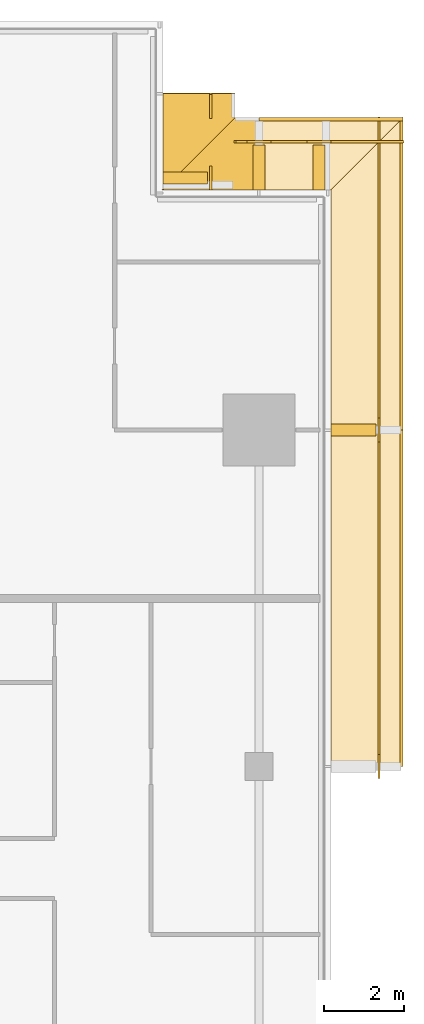
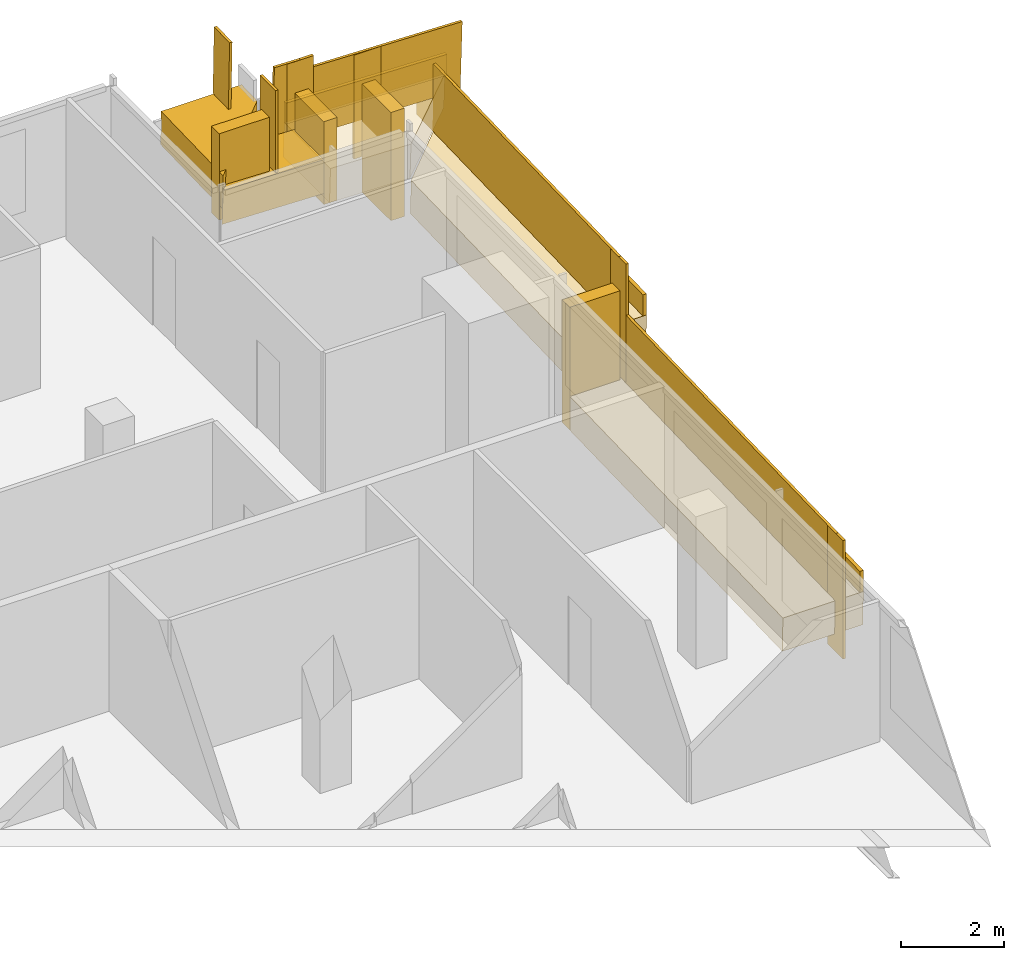
# One storey, part 27 of 29: 12 coverings, 10 railings.
"""IFC4 building model written with IfcOpenShell, lengths in metres."""

from ifc_helpers import new_model, si_unit, direction, frame, origin, origin_2d, place, context, subcontext, project, spatial, polyline, rectangle, outline, extrude, material, layer, layer_set, type_object, element, save


model = new_model("IFC4")

# Units and contexts
model_context = context("Model", 3, precision=1e-05, world=origin(), true_north=direction((0.0, 1.0)))
body_context = subcontext(model_context, "Body", "Model", "MODEL_VIEW")
ifc_project = project(units=[si_unit("LENGTHUNIT", "METRE"), si_unit("AREAUNIT", "SQUARE_METRE"), si_unit("VOLUMEUNIT", "CUBIC_METRE"), si_unit("PLANEANGLEUNIT", "RADIAN"), si_unit("MASSUNIT", "GRAM", prefix="KILO")], contexts=[model_context])

# Site, building, storey
site_placement = place(None, origin())
site = spatial("IfcSite", under=ifc_project, at=site_placement, CompositionType="ELEMENT")
building_placement = place(site_placement, origin())
building = spatial("IfcBuilding", under=site, at=building_placement, Name="Saffron Gate Tower", CompositionType="ELEMENT")
storey_placement = place(building_placement, frame((0.0, 0.0, 187.050048828125)))
storey = spatial("IfcBuildingStorey", under=building, at=storey_placement, Name="L46", CompositionType="ELEMENT", Elevation=187.050048828125)

# Coverings
ifc_material = material(Name="Timber, thermally modified ash", Category="wood")
ifc_layer_1 = layer(ifc_material, 0.800048828125)
ifc_layer_set_1 = layer_set([ifc_layer_1], Name="LD1 ledge timber")
covering_type_1 = type_object("IfcCoveringType", Name="LD1 ledge timber", PredefinedType="CLADDING", material=ifc_layer_set_1)
covering_1_placement = place(storey_placement, frame((127.199951171875, 57.0, 0.2431640625), z_axis=(0.0, -0.028791175352, 0.999585448184), x_axis=(0.0, 0.999585448184, 0.028791175352)))
element("IfcCovering", 1, at=covering_1_placement, inside=storey, type_object=covering_type_1, Name="LEDGE", PredefinedType="CLADDING", context=body_context, shape_type="SweptSolid", body=[
    extrude(outline(polyline([(0.0, 0.0), (8.403385982666892, 0.0), (8.403385982666892, -1.800048828125), (0.0, -1.800048828125), (0.0, 0.0)])), origin(), (0.0, 0.0, -1.0), 0.800048828125),
])
covering_2_placement = place(storey_placement, frame((127.199951171875, 65.39990234375, 1.685302734375), z_axis=(-3.5027307e-05, -0.028807146299, 0.99958498743), x_axis=(-3.68e-10, 0.999584988043, 0.028807146316)))
element("IfcCovering", 2, at=covering_2_placement, inside=storey, type_object=covering_type_1, Name="LEDGE", PredefinedType="CLADDING", context=body_context, shape_type="SweptSolid", body=[
    extrude(outline(polyline([(0.0, 0.0), (6.0024892885105, -2.541098841762901e-21), (7.8032891020589235, -1.8000488321003227), (-6.622937652878055e-10, -1.8000488270207489), (0.0, 0.0)])), origin(), (0.0, 0.0, -1.0), 0.800048828125),
])
covering_3_placement = place(storey_placement, frame((127.199951171875, 71.39990234375, 2.715576171875), z_axis=(0.028831989003, -4.5191205e-05, 0.999584270769), x_axis=(-0.999584271789, 2.041e-09, 0.028831989032)))
element("IfcCovering", 3, at=covering_3_placement, inside=storey, type_object=covering_type_1, Name="LEDGE", PredefinedType="CLADDING", context=body_context, shape_type="SweptSolid", body=[
    extrude(outline(polyline([(0.0, 0.0), (1.8007998167885757, 0.0), (1.8007998204631834, -1.80004882628693), (-1.8007927740541456, -1.800048837315338), (0.0, 0.0)])), origin(), (0.0, 0.0, -1.0), 0.800048828125),
])
covering_4_placement = place(storey_placement, frame((125.39990234375, 71.39990234375, 3.024658203125), z_axis=(0.028798988267, -2.8677152e-05, 0.999585222706), x_axis=(-0.999585223117, -6.17e-10, 0.028798988279)))
element("IfcCovering", 4, at=covering_4_placement, inside=storey, type_object=covering_type_1, Name="LEDGE", PredefinedType="CLADDING", context=body_context, shape_type="SweptSolid", body=[
    extrude(outline(polyline([(0.0, 0.0), (2.400896693585025, 4.235164736271502e-22), (0.6001039103565923, -1.8000488292351675), (-1.1098572600196767e-09, -1.8000488273848385), (0.0, 0.0)])), origin(), (0.0, 0.0, -1.0), 0.800048828125),
])
covering_5_placement = place(storey_placement, frame((123.0, 71.39990234375, 3.436767578125), z_axis=(-8.2123318e-05, -0.028713032424, 0.999587692514), x_axis=(5.056e-09, 0.999587695884, 0.028713032521)))
element("IfcCovering", 5, at=covering_5_placement, inside=storey, type_object=covering_type_1, Name="LEDGE", PredefinedType="CLADDING", context=body_context, shape_type="SweptSolid", body=[
    extrude(outline(polyline([(0.0, 0.0), (2.401140729112013, 0.0), (2.401140738212904, -1.8000488220550201), (1.800799803456976, -1.8000488372302523), (0.0, 0.0)])), origin(), (0.0, 0.0, -1.0), 0.800048828125),
])
ifc_layer_2 = layer(ifc_material, 0.080078125)
ifc_layer_set_2 = layer_set([ifc_layer_2], Name="LD2 ledge planter trough")
covering_type_2 = type_object("IfcCoveringType", Name="LD2 ledge planter trough", PredefinedType="CLADDING", material=ifc_layer_set_2)
covering_6_placement = place(storey_placement, frame((129.0, 57.0, 0.2431640625), z_axis=(1.0, 0.0, 0.0), x_axis=(0.0, 0.999585448184, 0.028791175352)))
element("IfcCovering", 6, at=covering_6_placement, inside=storey, type_object=covering_type_2, Name="LEDGE planter trough", PredefinedType="CLADDING", context=body_context, shape_type="SweptSolid", body=[
    extrude(outline(polyline([(0.0, 0.0), (8.403385982666892, 0.0), (8.417781570342743, 0.49979272409216496), (0.014395587675851172, 0.4997927240921649), (0.0, 0.0)])), origin(), (0.0, 0.0, -1.0), 0.080078125),
])
covering_7_placement = place(storey_placement, frame((129.0, 65.39990234375, 1.685302734375), z_axis=(1.0, 0.0, 0.0), x_axis=(0.0, 0.999584755248, 0.028815222999)))
element("IfcCovering", 7, at=covering_7_placement, inside=storey, type_object=covering_type_2, Name="LEDGE planter trough", PredefinedType="CLADDING", context=body_context, shape_type="SweptSolid", body=[
    extrude(outline(polyline([(0.0, 0.0), (7.803289102975944, 0.0), (7.8176967144752565, 0.4997923776238338), (0.014407611499312996, 0.4997923776238338), (0.0, 0.0)])), origin(), (0.0, 0.0, -1.0), 0.080078125),
])
covering_8_placement = place(storey_placement, frame((129.0, 73.199951171875, 2.663818359375), z_axis=(0.0, 1.0, 0.0), x_axis=(-0.99958492274, 0.0, 0.028809412191)))
element("IfcCovering", 8, at=covering_8_placement, inside=storey, type_object=covering_type_2, Name="LEDGE planter trough", PredefinedType="CLADDING", context=body_context, shape_type="SweptSolid", body=[
    extrude(outline(polyline([(0.0, 0.0), (3.601592595435983, 0.0), (3.6159973015313485, 0.4997924613700232), (0.014404706095365512, 0.4997924613700232), (0.0, 0.0)])), origin(), (0.0, 0.0, -1.0), 0.080078125),
])
ifc_layer_3 = layer(ifc_material, 0.300048828125)
ifc_layer_set_3 = layer_set([ifc_layer_3], Name="LD3 ledge riser fin")
covering_type_3 = type_object("IfcCoveringType", Name="LD3 ledge riser fin", PredefinedType="CLADDING", material=ifc_layer_set_3)
covering_9_placement = place(storey_placement, frame((127.760009765625, 65.39990234375, -0.31494140625), z_axis=(0.0, 0.0, 1.0), x_axis=(0.0, 1.0, 0.0)))
element("IfcCovering", 9, at=covering_9_placement, inside=storey, type_object=covering_type_3, Name="LEDGE riser fin", PredefinedType="CLADDING", context=body_context, shape_type="SweptSolid", body=[
    extrude(rectangle(XDim=0.300048828125, YDim=1.1201171875, at=origin_2d()), origin(), (0.0, 0.0, 1.0), 2.900390625),
])
covering_10_placement = place(storey_placement, frame((126.89990234375, 71.9599609375, 1.05810546875), z_axis=(0.0, 0.0, 1.0), x_axis=(-1.0, 0.0, 0.0)))
element("IfcCovering", 10, at=covering_10_placement, inside=storey, type_object=covering_type_3, Name="LEDGE riser fin", PredefinedType="CLADDING", context=body_context, shape_type="SweptSolid", body=[
    extrude(rectangle(XDim=0.300048828125, YDim=1.1201171875, at=origin_2d()), origin(), (0.0, 0.0, 1.0), 2.557373046875),
])
covering_11_placement = place(storey_placement, frame((125.39990234375, 71.9599609375, 1.96728515625), z_axis=(0.0, 0.0, 1.0), x_axis=(-1.0, 0.0, 0.0)))
element("IfcCovering", 11, at=covering_11_placement, inside=storey, type_object=covering_type_3, Name="LEDGE riser fin", PredefinedType="CLADDING", context=body_context, shape_type="SweptSolid", body=[
    extrude(rectangle(XDim=0.300048828125, YDim=1.1201171875, at=origin_2d()), origin(), (0.0, 0.0, 1.0), 1.957275390625),
])
covering_12_placement = place(storey_placement, frame((123.56005859375, 71.699951171875, 2.2939453125), z_axis=(0.0, 0.0, 1.0), x_axis=(0.0, 1.0, 0.0)))
element("IfcCovering", 12, at=covering_12_placement, inside=storey, type_object=covering_type_3, Name="LEDGE riser fin", PredefinedType="CLADDING", context=body_context, shape_type="SweptSolid", body=[
    extrude(rectangle(XDim=0.300048828125, YDim=1.1201171875, at=origin_2d()), origin(), (0.0, 0.0, 1.0), 2.04296875),
])

# Railings
railing_type = type_object("IfcRailingType", Name="LG1 ledge balustrade", PredefinedType="BALUSTRADE", material=ifc_material)
railing_1_placement = place(storey_placement, frame((128.39990234375, 57.0, 0.2431640625)))
element("IfcRailing", 13, at=railing_1_placement, inside=storey, type_object=railing_type, Name="LEDGE BALUSTRADE", PredefinedType="BALUSTRADE", context=body_context, shape_type="SweptSolid", body=[
    extrude(rectangle(XDim=0.06005859375, YDim=1.60009765625, at=origin_2d()), frame((0.0, 0.0, 0.800048828125), z_axis=(0.0, 0.999585448184, 0.028791175352), x_axis=(-1.0, 0.0, 0.0)), (0.0, 0.0, 1.0), 8.4033203125),
])
railing_2_placement = place(storey_placement, frame((128.39990234375, 56.699951171875, -0.957275390625)))
element("IfcRailing", 14, at=railing_2_placement, inside=storey, type_object=railing_type, Name="LEDGE BALUSTRADE", PredefinedType="BALUSTRADE", context=body_context, shape_type="SweptSolid", body=[
    extrude(rectangle(XDim=0.06005859375, YDim=2.80029296875, at=origin_2d()), frame((0.0, 0.0, 1.400146484375), z_axis=(0.0, 1.0, 0.0), x_axis=(-1.0, 0.0, 0.0)), (0.0, 0.0, 1.0), 0.60009765625),
])
railing_3_placement = place(storey_placement, frame((128.39990234375, 65.39990234375, 1.685302734375)))
element("IfcRailing", 15, at=railing_3_placement, inside=storey, type_object=railing_type, Name="LEDGE BALUSTRADE", PredefinedType="BALUSTRADE", context=body_context, shape_type="SweptSolid", body=[
    extrude(rectangle(XDim=0.06005859375, YDim=1.60009765625, at=origin_2d()), frame((0.0, 0.0, 0.800048828125), z_axis=(0.0, 0.999584755248, 0.028815222999), x_axis=(-1.0, 0.0, 0.0)), (0.0, 0.0, 1.0), 7.80322265625),
])
railing_4_placement = place(storey_placement, frame((128.39990234375, 65.10009765625, 0.485107421875)))
element("IfcRailing", 16, at=railing_4_placement, inside=storey, type_object=railing_type, Name="LEDGE BALUSTRADE", PredefinedType="BALUSTRADE", context=body_context, shape_type="SweptSolid", body=[
    extrude(rectangle(XDim=0.06005859375, YDim=2.80029296875, at=origin_2d()), frame((0.0, 0.0, 1.400146484375), z_axis=(0.0, 1.0, 0.0), x_axis=(-1.0, 0.0, 0.0)), (0.0, 0.0, 1.0), 0.599853515625),
])
railing_5_placement = place(storey_placement, frame((129.0, 72.60009765625, 2.663818359375)))
element("IfcRailing", 17, at=railing_5_placement, inside=storey, type_object=railing_type, Name="LEDGE BALUSTRADE", PredefinedType="BALUSTRADE", context=body_context, shape_type="SweptSolid", body=[
    extrude(rectangle(XDim=0.06005859375, YDim=1.60009765625, at=origin_2d()), frame((0.0, 0.0, 0.800048828125), z_axis=(-0.99958492274, 0.0, 0.028809412191), x_axis=(0.0, -1.0, 0.0)), (0.0, 0.0, 1.0), 3.6015625),
])
railing_6_placement = place(storey_placement, frame((127.199951171875, 72.60009765625, 1.858154296875)))
element("IfcRailing", 18, at=railing_6_placement, inside=storey, type_object=railing_type, Name="LEDGE BALUSTRADE", PredefinedType="BALUSTRADE", context=body_context, shape_type="SweptSolid", body=[
    extrude(rectangle(XDim=0.06005859375, YDim=2.45751953125, at=origin_2d()), frame((0.0, 0.0, 1.228759765625), z_axis=(-1.0, 0.0, 0.0), x_axis=(0.0, -1.0, 0.0)), (0.0, 0.0, 1.0), 0.599853515625),
])
railing_7_placement = place(storey_placement, frame((125.39990234375, 72.60009765625, 3.024658203125)))
element("IfcRailing", 19, at=railing_7_placement, inside=storey, type_object=railing_type, Name="LEDGE BALUSTRADE", PredefinedType="BALUSTRADE", context=body_context, shape_type="SweptSolid", body=[
    extrude(rectangle(XDim=0.06005859375, YDim=1.60009765625, at=origin_2d()), frame((0.0, 0.0, 0.800048828125), z_axis=(-0.999582742162, 0.0, 0.028884971385), x_axis=(0.0, -1.0, 0.0)), (0.0, 0.0, 1.0), 0.60009765625),
])
railing_8_placement = place(storey_placement, frame((125.699951171875, 72.60009765625, 2.767578125)))
element("IfcRailing", 20, at=railing_8_placement, inside=storey, type_object=railing_type, Name="LEDGE BALUSTRADE", PredefinedType="BALUSTRADE", context=body_context, shape_type="SweptSolid", body=[
    extrude(rectangle(XDim=0.06005859375, YDim=1.857177734375, at=origin_2d()), frame((0.0, 0.0, 0.9287109375), z_axis=(-1.0, 0.0, 0.0), x_axis=(0.0, -1.0, 0.0)), (0.0, 0.0, 1.0), 0.599853515625),
])
railing_9_placement = place(storey_placement, frame((124.199951171875, 73.199951171875, 3.48876953125)))
element("IfcRailing", 21, at=railing_9_placement, inside=storey, type_object=railing_type, Name="LEDGE BALUSTRADE", PredefinedType="BALUSTRADE", context=body_context, shape_type="SweptSolid", body=[
    extrude(rectangle(XDim=0.06005859375, YDim=1.60009765625, at=origin_2d()), frame((0.0, 0.0, 0.800048828125), z_axis=(0.0, 0.999594735783, 0.028466896463), x_axis=(-1.0, 0.0, 0.0)), (0.0, 0.0, 1.0), 0.600341796875),
])
railing_10_placement = place(storey_placement, frame((124.199951171875, 71.39990234375, 3.09375)))
element("IfcRailing", 22, at=railing_10_placement, inside=storey, type_object=railing_type, Name="LEDGE BALUSTRADE", PredefinedType="BALUSTRADE", context=body_context, shape_type="SweptSolid", body=[
    extrude(rectangle(XDim=0.06005859375, YDim=1.943115234375, at=origin_2d()), frame((0.0, 0.0, 0.9716796875), z_axis=(0.0, 1.0, 0.0), x_axis=(-1.0, 0.0, 0.0)), (0.0, 0.0, 1.0), 0.60009765625),
])

save(model, "model.ifc")
